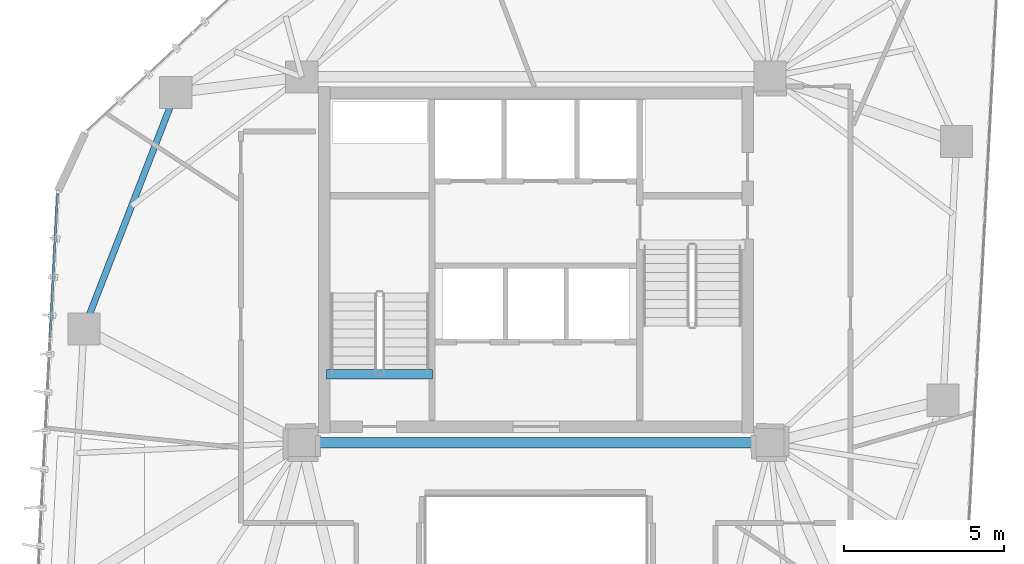
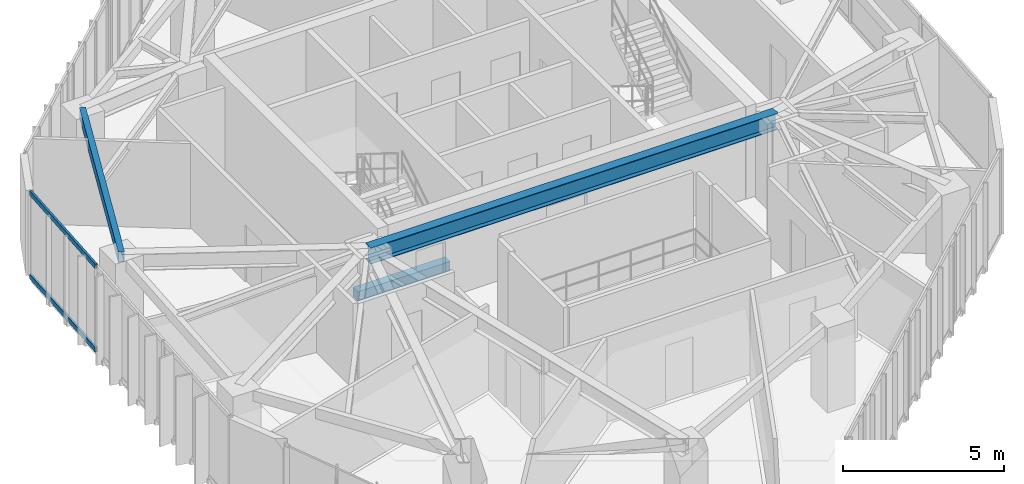
# One storey, part 8 of 19: 3 beams, 2 members, 1 element without a shape of its own.
"""IFC4 building model written with IfcOpenShell, lengths in metres."""

from ifc_helpers import new_model, si_unit, direction, frame, origin, origin_2d, place, context, subcontext, project, spatial, rectangle, hollow_rectangle, i_section, extrude, source, transform, mapped, material, layer, layer_set, material_profile, profile_set, type_object, type_shapes, element, aggregate, save


model = new_model("IFC4")

# Units and contexts
model_context = context("Model", 3, precision=1e-05, world=origin(), true_north=direction((0.0, 1.0)))
body_context = subcontext(model_context, "Body", "Model", "MODEL_VIEW")
ifc_project = project(units=[si_unit("LENGTHUNIT", "METRE"), si_unit("AREAUNIT", "SQUARE_METRE"), si_unit("VOLUMEUNIT", "CUBIC_METRE"), si_unit("PLANEANGLEUNIT", "RADIAN"), si_unit("MASSUNIT", "GRAM", prefix="KILO")], contexts=[model_context])

# Site, building, storey
site_placement = place(None, origin())
site = spatial("IfcSite", under=ifc_project, at=site_placement, CompositionType="ELEMENT")
building_placement = place(site_placement, origin())
building = spatial("IfcBuilding", under=site, at=building_placement, Name="Talar Marvaseh", CompositionType="ELEMENT")
storey_placement = place(building_placement, frame((0.0, 0.0, 218.699951171875)))
storey = spatial("IfcBuildingStorey", under=building, at=storey_placement, Name="L57", CompositionType="ELEMENT", Elevation=218.699951171875)

# Beams
ifc_material_1 = material(Name="Concrete C40/50", Category="concrete")
ifc_material_profile_1 = material_profile(ifc_material_1, rectangle(XDim=0.300048828125, YDim=0.360107421875, at=origin_2d()), Name="RC300x360")
ifc_profile_set_1 = profile_set([ifc_material_profile_1], Name="Concrete C40/50")
beam_type_1 = type_object("IfcBeamType", Name="Concrete Stair Landing Trimmer Beam RC300x360", PredefinedType="SPANDREL", material=ifc_profile_set_1)
beam_1_placement = place(storey_placement, frame((22.780029296875, 27.6298828125, -0.179931640625), z_axis=(-1.0, 0.0, 0.0), x_axis=(0.0, -1.0, 0.0)))
element("IfcBeam", 1, at=beam_1_placement, inside=storey, type_object=beam_type_1, Name="L57 ST-1 Stair Nosing Trimmer Beam", PredefinedType="SPANDREL", context=body_context, shape_type="SweptSolid", body=[
    extrude(rectangle(XDim=0.300048828125, YDim=0.360107421875, at=origin_2d()), origin(), (0.0, 0.0, 1.0), 3.300048828125),
])
ifc_material_2 = material(Name="Steel S355", Category="steel")
ifc_material_profile_2 = material_profile(ifc_material_2, hollow_rectangle(XDim=0.199951171875, YDim=0.39990234375, WallThickness=0.013916015625, at=origin_2d()), Name="RHS400x200x14")
ifc_profile_set_2 = profile_set([ifc_material_profile_2], Name="Steel S355")
beam_type_2 = type_object("IfcBeamType", Name="Zone 3 Perimeter Spandrel Beam RHS400x200x14", PredefinedType="SPANDREL", material=ifc_profile_set_2)
beam_2_placement = place(storey_placement, frame((11.908935546875, 29.044921875, 3.030029296875), z_axis=(0.362169134611, 0.932112395548, 0.0), x_axis=(-0.932112395548, 0.362169134611, 0.0)))
element("IfcBeam", 2, at=beam_2_placement, inside=storey, type_object=beam_type_2, Name="L57 Zone 3 Perimeter Spandrel Beam RHS400x200x14", PredefinedType="SPANDREL", context=body_context, shape_type="SweptSolid", body=[
    extrude(hollow_rectangle(XDim=0.199951171875, YDim=0.39990234375, WallThickness=0.013916015625, at=origin_2d()), origin(), (0.0, 0.0, 1.0), 7.907958984375),
])
ifc_material_profile_3 = material_profile(ifc_material_2, i_section(OverallWidth=0.324951171875, OverallDepth=0.615966796875, WebThickness=0.013916015625, FlangeThickness=0.021484375, at=origin_2d()), Name="W610x174")
ifc_profile_set_3 = profile_set([ifc_material_profile_3], Name="Steel S355")
beam_type_3 = type_object("IfcBeamType", Name="Zone 3 Radial Floor Girder W610x174", PredefinedType="BEAM", material=ifc_profile_set_3)
beam_3_placement = place(storey_placement, frame((18.699951171875, 25.5, 2.922119140625), z_axis=(1.0, 0.0, 0.0), x_axis=(0.0, 1.0, 0.0)))
element("IfcBeam", 3, at=beam_3_placement, inside=storey, type_object=beam_type_3, Name="L57 Zone 3 Radial Floor Girder W610x174", PredefinedType="BEAM", context=body_context, shape_type="SweptSolid", body=[
    extrude(i_section(OverallWidth=0.324951171875, OverallDepth=0.615966796875, WebThickness=0.013916015625, FlangeThickness=0.021484375, at=origin_2d()), origin(), (0.0, 0.0, 1.0), 14.60009765625),
])

# Curtain wall, members
ifc_material_3 = material(Name="Architectural Aluminium", Category="aluminium")
ifc_layer = layer(ifc_material_3, 0.18994140625)
ifc_layer_set = layer_set([ifc_layer], Name="Architectural Aluminium")
curtain_wall_type = type_object("IfcCurtainWallType", Name="Unitised Solar Atelier Curtain Wall Z3", PredefinedType="NOTDEFINED", material=ifc_layer_set)
curtain_wall_placement = place(storey_placement, origin())
curtain_wall = element("IfcCurtainWall", 4, at=curtain_wall_placement, inside=storey, type_object=curtain_wall_type, Name="L57 Unitised Solar Atelier Curtain Wall Z3", PredefinedType="NOTDEFINED")
ifc_material_profile_4 = material_profile(ifc_material_3, hollow_rectangle(XDim=0.074951171875, YDim=0.179931640625, WallThickness=0.0048828125, at=origin_2d()), Name="RHS180x75x5")
ifc_profile_set_4 = profile_set([ifc_material_profile_4], Name="Architectural Aluminium")
member_type = type_object("IfcMemberType", Name="Unitised Curtain Wall Transom RHS180x75x5", PredefinedType="USERDEFINED", material=ifc_profile_set_4)
shared_shape = source(origin(), body_context, "Body", "SweptSolid", [
    extrude(hollow_rectangle(XDim=0.074951171875, YDim=0.179931640625, WallThickness=0.0048828125, at=origin_2d()), origin(), (0.0, 0.0, 1.0), 4.46484375),
])
type_shapes(member_type, [shared_shape])
member_1_placement = place(storey_placement, frame((10.860595703125, 28.78759765625, 0.03759765625), z_axis=(0.051126652757, 0.998692177489, 0.0), x_axis=(-0.998692177489, 0.051126652757, 0.0)))
member_1 = element("IfcMember", 5, at=member_1_placement, type_object=member_type, Name="CW-Z3 transom 3.1", ObjectType="TRANSOM", PredefinedType="USERDEFINED", context=body_context, shape_type="MappedRepresentation", body=[
    mapped(shared_shape, transform((0.0, 0.0, 0.0), x_axis=(1.0, 0.0, 0.0), y_axis=(0.0, 1.0, 0.0), z_axis=(0.0, 0.0, 1.0), scale=1.0)),
])
member_2_placement = place(storey_placement, frame((10.860595703125, 28.78759765625, 3.192626953125), z_axis=(0.051126652757, 0.998692177489, 0.0), x_axis=(-0.998692177489, 0.051126652757, 0.0)))
member_2 = element("IfcMember", 6, at=member_2_placement, type_object=member_type, Name="CW-Z3 transom 3.2", ObjectType="TRANSOM", PredefinedType="USERDEFINED", context=body_context, shape_type="MappedRepresentation", body=[
    mapped(shared_shape, transform((0.0, 0.0, 0.0), x_axis=(1.0, 0.0, 0.0), y_axis=(0.0, 1.0, 0.0), z_axis=(0.0, 0.0, 1.0), scale=1.0)),
])
aggregate(curtain_wall, [member_1, member_2])

save(model, "model.ifc")
